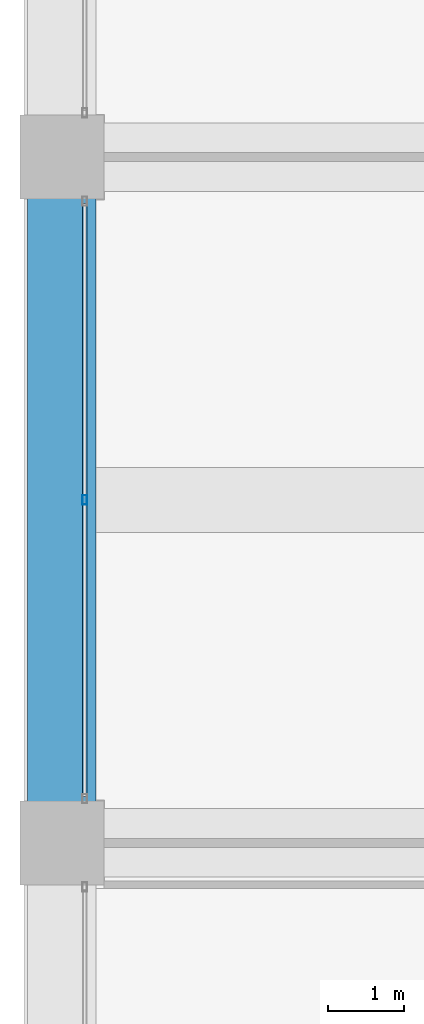
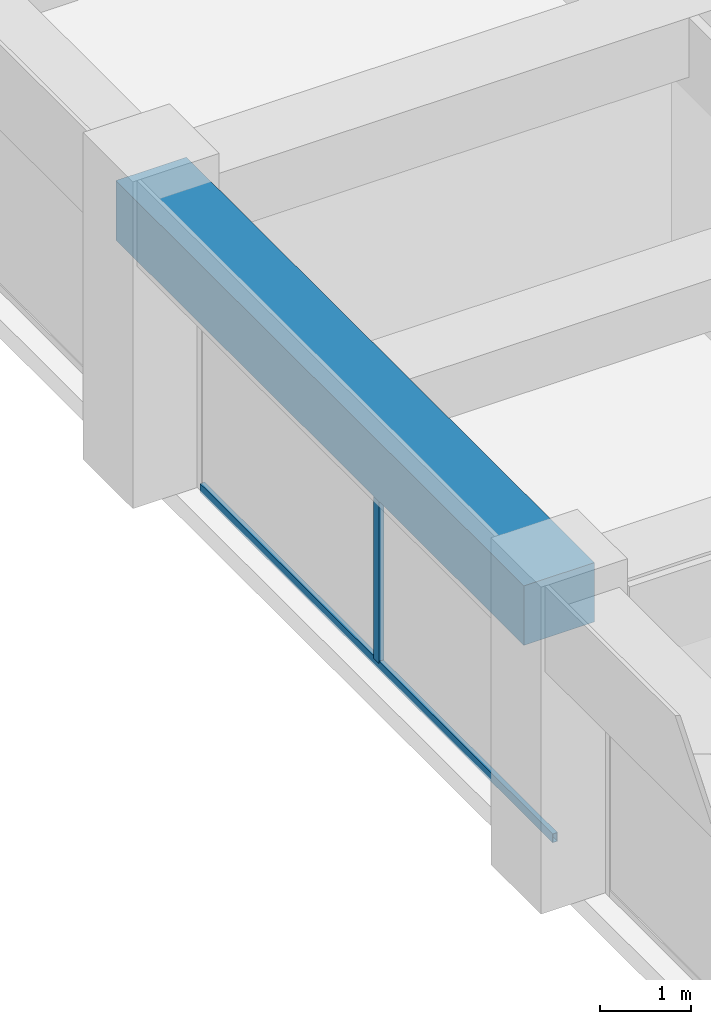
# One storey, part 14 of 44: 2 members, 1 beam, 1 element without a shape of its own.
"""IFC4 building model written with IfcOpenShell, lengths in metres."""

from ifc_helpers import new_model, si_unit, direction, frame, origin, origin_2d, place, context, subcontext, project, spatial, rectangle, hollow_rectangle, extrude, material, material_profile, profile_set, type_object, element, aggregate, save


model = new_model("IFC4")

# Units and contexts
model_context = context("Model", 3, precision=1e-05, world=origin(), true_north=direction((0.0, 1.0)))
body_context = subcontext(model_context, "Body", "Model", "MODEL_VIEW")
ifc_project = project(units=[si_unit("LENGTHUNIT", "METRE"), si_unit("AREAUNIT", "SQUARE_METRE"), si_unit("VOLUMEUNIT", "CUBIC_METRE"), si_unit("PLANEANGLEUNIT", "RADIAN"), si_unit("MASSUNIT", "GRAM", prefix="KILO")], contexts=[model_context])

# Site, building, storey
site_placement = place(None, origin())
site = spatial("IfcSite", under=ifc_project, at=site_placement, CompositionType="ELEMENT")
building_placement = place(site_placement, origin())
building = spatial("IfcBuilding", under=site, at=building_placement, Name="Zorevar Civic Tower", CompositionType="ELEMENT")
storey_placement = place(building_placement, frame((0.0, 0.0, 307.39990234375)))
storey = spatial("IfcBuildingStorey", under=building, at=storey_placement, Name="L75", CompositionType="ELEMENT", Elevation=307.39990234375)

# Curtain wall, members
ifc_material_1 = material(Name="Dark grey solar-control glass in black aluminium frame", Category="aluminium")
curtain_wall_type = type_object("IfcCurtainWallType", Name="Curtain wall CW5 top zone", PredefinedType="NOTDEFINED", material=ifc_material_1)
curtain_wall_placement = place(storey_placement, origin())
curtain_wall = element("IfcCurtainWall", 1, at=curtain_wall_placement, inside=storey, type_object=curtain_wall_type, Name="CW5 L75", PredefinedType="NOTDEFINED")
ifc_material_2 = material(Name="Aluminium, black anodised", Category="aluminium")
ifc_material_profile_1 = material_profile(ifc_material_2, hollow_rectangle(XDim=0.06005859375, YDim=0.1201171875, WallThickness=0.0029296875, at=origin_2d()), Name="AL 120x60x3")
ifc_profile_set_1 = profile_set([ifc_material_profile_1], Name="Aluminium, black anodised")
member_type_1 = type_object("IfcMemberType", Name="CW5 mullion AL 120x60x3", PredefinedType="MULLION", material=ifc_profile_set_1)
member_1_placement = place(storey_placement, frame((9.300048828125, 22.5, 0.06005859375), z_axis=(0.0, 0.0, 1.0), x_axis=(-1.0, 0.0, 0.0)))
member_1 = element("IfcMember", 2, at=member_1_placement, type_object=member_type_1, Name="CW5 mullion 2", PredefinedType="MULLION", context=body_context, shape_type="SweptSolid", body=[
    extrude(hollow_rectangle(XDim=0.06005859375, YDim=0.1201171875, WallThickness=0.0029296875, at=origin_2d()), origin(), (0.0, 0.0, 1.0), 3.18994140625),
])
ifc_material_3 = material(Name="Aluminium, black anodised", Category="aluminium")
ifc_material_profile_2 = material_profile(ifc_material_3, hollow_rectangle(XDim=0.06005859375, YDim=0.1201171875, WallThickness=0.0029296875, at=origin_2d()), Name="AL 120x60x3")
ifc_profile_set_2 = profile_set([ifc_material_profile_2], Name="Aluminium, black anodised")
member_type_2 = type_object("IfcMemberType", Name="CW5 transom AL 120x60x3", PredefinedType="USERDEFINED", material=ifc_profile_set_2)
member_2_placement = place(storey_placement, frame((9.300048828125, 18.610107421875, 0.030029296875), z_axis=(0.0, 1.0, 0.0), x_axis=(-1.0, 0.0, 0.0)))
member_2 = element("IfcMember", 3, at=member_2_placement, type_object=member_type_2, Name="CW5 sill transom", ObjectType="TRANSOM", PredefinedType="USERDEFINED", context=body_context, shape_type="SweptSolid", body=[
    extrude(hollow_rectangle(XDim=0.06005859375, YDim=0.1201171875, WallThickness=0.0029296875, at=origin_2d()), origin(), (0.0, 0.0, 1.0), 7.77978515625),
])
aggregate(curtain_wall, [member_1, member_2])

# Beam
ifc_material_4 = material(Name="Concrete C50/60", Category="concrete")
ifc_material_profile_3 = material_profile(ifc_material_4, rectangle(XDim=0.89990234375, YDim=0.800048828125, at=origin_2d()), Name="RC 900x800")
ifc_profile_set_3 = profile_set([ifc_material_profile_3], Name="Concrete C50/60")
beam_type = type_object("IfcBeamType", Name="Edge beam RC 900x800", PredefinedType="SPANDREL", material=ifc_profile_set_3)
beam_placement = place(storey_placement, frame((9.0, 18.0, 3.650146484375), z_axis=(0.0, 1.0, 0.0), x_axis=(-1.0, 0.0, 0.0)))
element("IfcBeam", 4, at=beam_placement, inside=storey, type_object=beam_type, Name="Edge beam RF", PredefinedType="SPANDREL", context=body_context, shape_type="SweptSolid", body=[
    extrude(rectangle(XDim=0.89990234375, YDim=0.800048828125, at=origin_2d()), origin(), (0.0, 0.0, 1.0), 9.0),
])

save(model, "model.ifc")
